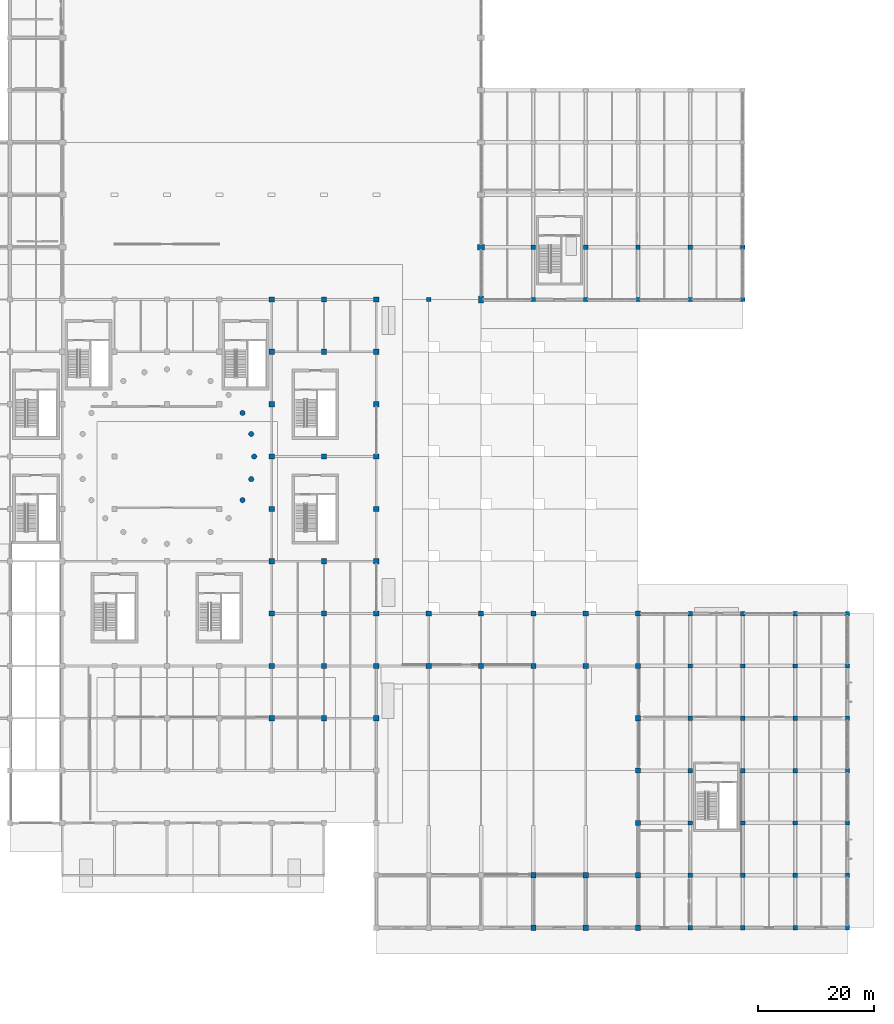
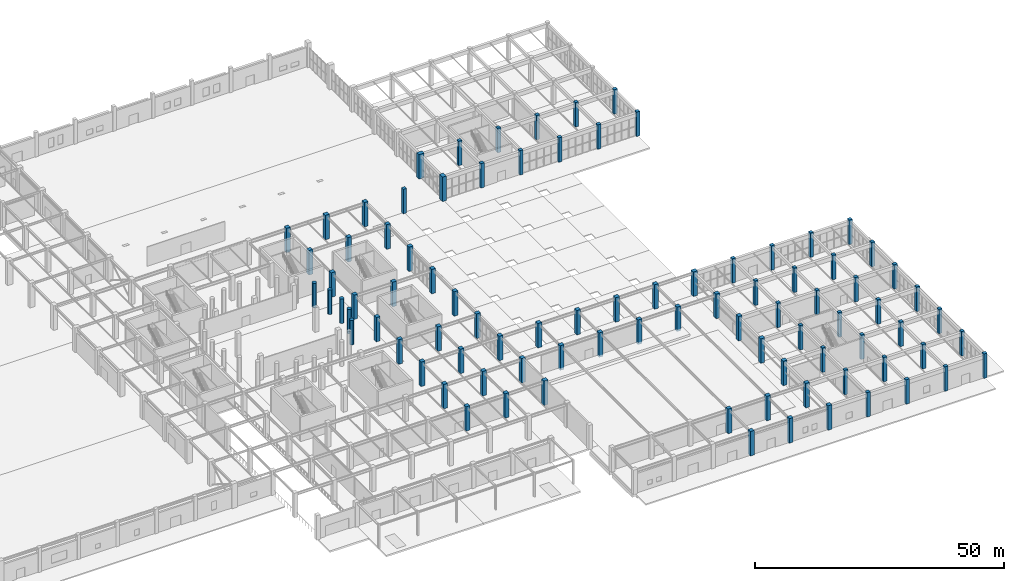
# One storey, part 5 of 91: 90 columns.
"""IFC4 building model written with IfcOpenShell, lengths in metres."""

from ifc_helpers import new_model, si_unit, direction, frame, origin, origin_2d, place, context, subcontext, project, spatial, rectangle, circle, extrude, material, material_profile, profile_set, type_object, element, save


model = new_model("IFC4")

# Units and contexts
model_context = context("Model", 3, precision=1e-05, world=origin(), true_north=direction((0.0, 1.0)))
body_context = subcontext(model_context, "Body", "Model", "MODEL_VIEW")
ifc_project = project(units=[si_unit("LENGTHUNIT", "METRE"), si_unit("AREAUNIT", "SQUARE_METRE"), si_unit("VOLUMEUNIT", "CUBIC_METRE"), si_unit("PLANEANGLEUNIT", "RADIAN"), si_unit("MASSUNIT", "GRAM", prefix="KILO")], contexts=[model_context])

# Site, building, storey
site_placement = place(None, origin())
site = spatial("IfcSite", under=ifc_project, at=site_placement, CompositionType="ELEMENT")
building_placement = place(site_placement, origin())
building = spatial("IfcBuilding", under=site, at=building_placement, Name="Dornveld Trade and Exhibition Forum", CompositionType="ELEMENT")
storey_placement = place(building_placement, origin())
storey = spatial("IfcBuildingStorey", under=building, at=storey_placement, Name="L00", CompositionType="ELEMENT", Elevation=0.0)

# Columns
ifc_material_1 = material(Name="Precast concrete C50/60", Category="concrete")
ifc_material_profile_1 = material_profile(ifc_material_1, circle(Radius=0.449951171875, at=origin_2d()), Name="PC-COL D900")
ifc_profile_set_1 = profile_set([ifc_material_profile_1], Name="Precast concrete C50/60")
column_type_1 = type_object("IfcColumnType", Name="COL-DISC-D900", PredefinedType="COLUMN", material=ifc_profile_set_1)
for number, where, z_axis, x_axis, name in (
    (1, (129.989990234375, 73.5, 0.0), (0.0, 0.0, 1.0), (1.0, 0.0, 0.0), "L00 column (130.0, 73.5)"),
    (2, (129.989990234375, 88.5, 0.0), (0.0, 0.0, 1.0), (1.0, 0.0, 0.0), "L00 column (130.0, 88.5)"),
    (3, (131.489013671875, 77.117919921875, 0.0), (0.0, 0.0, 1.0), (1.0, 0.0, 0.0), "L00 column (131.5, 77.1)"),
    (4, (131.489013671875, 84.882080078125, 0.0), (0.0, 0.0, 1.0), (1.0, 0.0, 0.0), "L00 column (131.5, 84.9)"),
    (5, (132.0, 81.0, 0.0), (0.0, 0.0, 1.0), (1.0, 0.0, 0.0), "L00 column (132.0, 81.0)"),
):
    element("IfcColumn", number, at=place(storey_placement, frame(where, z_axis=z_axis, x_axis=x_axis)), inside=storey, type_object=column_type_1, Name=name, PredefinedType="COLUMN", context=body_context, shape_type="SweptSolid", body=[
        extrude(circle(Radius=0.449951171875, at=origin_2d()), origin(), (0.0, 0.0, 1.0), 6.0),
    ])
ifc_material_2 = material(Name="Precast concrete C50/60", Category="concrete")
ifc_material_profile_2 = material_profile(ifc_material_2, rectangle(XDim=0.75, YDim=0.75, at=origin_2d()), Name="PC-COL 750x750")
ifc_profile_set_2 = profile_set([ifc_material_profile_2], Name="Precast concrete C50/60")
column_type_2 = type_object("IfcColumnType", Name="COL-PC750", PredefinedType="COLUMN", material=ifc_profile_set_2)
for number, where, z_axis, x_axis, name in (
    (6, (180.0, 108.0, 0.0), (0.0, 0.0, 1.0), (1.0, 0.0, 0.0), "L00 column (180.0, 108.0)"),
    (7, (180.0, 117.0, 0.0), (0.0, 0.0, 1.0), (1.0, 0.0, 0.0), "L00 column (180.0, 117.0)"),
    (8, (189.0, 108.0, 0.0), (0.0, 0.0, 1.0), (1.0, 0.0, 0.0), "L00 column (189.0, 108.0)"),
    (9, (189.0, 117.0, 0.0), (0.0, 0.0, 1.0), (1.0, 0.0, 0.0), "L00 column (189.0, 117.0)"),
    (10, (198.0, 108.0, 0.0), (0.0, 0.0, 1.0), (1.0, 0.0, 0.0), "L00 column (198.0, 108.0)"),
    (11, (198.0, 117.0, 0.0), (0.0, 0.0, 1.0), (1.0, 0.0, 0.0), "L00 column (198.0, 117.0)"),
    (12, (207.0, 0.0, 0.0), (0.0, 0.0, 1.0), (1.0, 0.0, 0.0), "L00 column (207.0, 0.0)"),
    (13, (207.0, 9.0, 0.0), (0.0, 0.0, 1.0), (1.0, 0.0, 0.0), "L00 column (207.0, 9.0)"),
    (14, (207.0, 18.0, 0.0), (0.0, 0.0, 1.0), (1.0, 0.0, 0.0), "L00 column (207.0, 18.0)"),
    (15, (207.0, 27.0, 0.0), (0.0, 0.0, 1.0), (1.0, 0.0, 0.0), "L00 column (207.0, 27.0)"),
    (16, (207.0, 36.0, 0.0), (0.0, 0.0, 1.0), (1.0, 0.0, 0.0), "L00 column (207.0, 36.0)"),
    (17, (207.0, 45.0, 0.0), (0.0, 0.0, 1.0), (1.0, 0.0, 0.0), "L00 column (207.0, 45.0)"),
    (18, (207.0, 54.0, 0.0), (0.0, 0.0, 1.0), (1.0, 0.0, 0.0), "L00 column (207.0, 54.0)"),
    (19, (207.0, 108.0, 0.0), (0.0, 0.0, 1.0), (1.0, 0.0, 0.0), "L00 column (207.0, 108.0)"),
    (20, (207.0, 117.0, 0.0), (0.0, 0.0, 1.0), (1.0, 0.0, 0.0), "L00 column (207.0, 117.0)"),
    (21, (216.0, 0.0, 0.0), (0.0, 0.0, 1.0), (1.0, 0.0, 0.0), "L00 column (216.0, 0.0)"),
    (22, (216.0, 9.0, 0.0), (0.0, 0.0, 1.0), (1.0, 0.0, 0.0), "L00 column (216.0, 9.0)"),
    (23, (216.0, 18.0, 0.0), (0.0, 0.0, 1.0), (1.0, 0.0, 0.0), "L00 column (216.0, 18.0)"),
    (24, (216.0, 27.0, 0.0), (0.0, 0.0, 1.0), (1.0, 0.0, 0.0), "L00 column (216.0, 27.0)"),
    (25, (216.0, 36.0, 0.0), (0.0, 0.0, 1.0), (1.0, 0.0, 0.0), "L00 column (216.0, 36.0)"),
    (26, (216.0, 45.0, 0.0), (0.0, 0.0, 1.0), (1.0, 0.0, 0.0), "L00 column (216.0, 45.0)"),
    (27, (216.0, 54.0, 0.0), (0.0, 0.0, 1.0), (1.0, 0.0, 0.0), "L00 column (216.0, 54.0)"),
    (28, (216.0, 108.0, 0.0), (0.0, 0.0, 1.0), (1.0, 0.0, 0.0), "L00 column (216.0, 108.0)"),
    (29, (216.0, 117.0, 0.0), (0.0, 0.0, 1.0), (1.0, 0.0, 0.0), "L00 column (216.0, 117.0)"),
    (30, (225.0, 0.0, 0.0), (0.0, 0.0, 1.0), (1.0, 0.0, 0.0), "L00 column (225.0, 0.0)"),
    (31, (225.0, 9.0, 0.0), (0.0, 0.0, 1.0), (1.0, 0.0, 0.0), "L00 column (225.0, 9.0)"),
    (32, (225.0, 18.0, 0.0), (0.0, 0.0, 1.0), (1.0, 0.0, 0.0), "L00 column (225.0, 18.0)"),
    (33, (225.0, 27.0, 0.0), (0.0, 0.0, 1.0), (1.0, 0.0, 0.0), "L00 column (225.0, 27.0)"),
    (34, (225.0, 36.0, 0.0), (0.0, 0.0, 1.0), (1.0, 0.0, 0.0), "L00 column (225.0, 36.0)"),
    (35, (225.0, 45.0, 0.0), (0.0, 0.0, 1.0), (1.0, 0.0, 0.0), "L00 column (225.0, 45.0)"),
    (36, (225.0, 54.0, 0.0), (0.0, 0.0, 1.0), (1.0, 0.0, 0.0), "L00 column (225.0, 54.0)"),
    (37, (234.0, 0.0, 0.0), (0.0, 0.0, 1.0), (1.0, 0.0, 0.0), "L00 column (234.0, 0.0)"),
    (38, (234.0, 9.0, 0.0), (0.0, 0.0, 1.0), (1.0, 0.0, 0.0), "L00 column (234.0, 9.0)"),
    (39, (234.0, 18.0, 0.0), (0.0, 0.0, 1.0), (1.0, 0.0, 0.0), "L00 column (234.0, 18.0)"),
    (40, (234.0, 27.0, 0.0), (0.0, 0.0, 1.0), (1.0, 0.0, 0.0), "L00 column (234.0, 27.0)"),
    (41, (234.0, 36.0, 0.0), (0.0, 0.0, 1.0), (1.0, 0.0, 0.0), "L00 column (234.0, 36.0)"),
    (42, (234.0, 45.0, 0.0), (0.0, 0.0, 1.0), (1.0, 0.0, 0.0), "L00 column (234.0, 45.0)"),
    (43, (234.0, 54.0, 0.0), (0.0, 0.0, 1.0), (1.0, 0.0, 0.0), "L00 column (234.0, 54.0)"),
):
    element("IfcColumn", number, at=place(storey_placement, frame(where, z_axis=z_axis, x_axis=x_axis)), inside=storey, type_object=column_type_2, Name=name, PredefinedType="COLUMN", context=body_context, shape_type="SweptSolid", body=[
        extrude(rectangle(XDim=0.75, YDim=0.75, at=origin_2d()), origin(), (0.0, 0.0, 1.0), 6.0),
    ])
ifc_material_3 = material(Name="Precast concrete C50/60", Category="concrete")
ifc_material_profile_3 = material_profile(ifc_material_3, rectangle(XDim=0.89990234375, YDim=0.89990234375, at=origin_2d()), Name="PC-COL 900x900")
ifc_profile_set_3 = profile_set([ifc_material_profile_3], Name="Precast concrete C50/60")
column_type_3 = type_object("IfcColumnType", Name="COL-PC900", PredefinedType="COLUMN", material=ifc_profile_set_3)
for number, where, z_axis, x_axis, name in (
    (44, (135.0, 36.0, 0.0), (0.0, 0.0, 1.0), (1.0, 0.0, 0.0), "L00 column (135.0, 36.0)"),
    (45, (135.0, 45.0, 0.0), (0.0, 0.0, 1.0), (1.0, 0.0, 0.0), "L00 column (135.0, 45.0)"),
    (46, (135.0, 54.0, 0.0), (0.0, 0.0, 1.0), (1.0, 0.0, 0.0), "L00 column (135.0, 54.0)"),
    (47, (135.0, 63.0, 0.0), (0.0, 0.0, 1.0), (1.0, 0.0, 0.0), "L00 column (135.0, 63.0)"),
    (48, (135.0, 72.0, 0.0), (0.0, 0.0, 1.0), (1.0, 0.0, 0.0), "L00 column (135.0, 72.0)"),
    (49, (135.0, 81.0, 0.0), (0.0, 0.0, 1.0), (1.0, 0.0, 0.0), "L00 column (135.0, 81.0)"),
    (50, (135.0, 90.0, 0.0), (0.0, 0.0, 1.0), (1.0, 0.0, 0.0), "L00 column (135.0, 90.0)"),
    (51, (135.0, 99.0, 0.0), (0.0, 0.0, 1.0), (1.0, 0.0, 0.0), "L00 column (135.0, 99.0)"),
    (52, (135.0, 108.0, 0.0), (0.0, 0.0, 1.0), (1.0, 0.0, 0.0), "L00 column (135.0, 108.0)"),
    (53, (144.0, 36.0, 0.0), (0.0, 0.0, 1.0), (1.0, 0.0, 0.0), "L00 column (144.0, 36.0)"),
    (54, (144.0, 45.0, 0.0), (0.0, 0.0, 1.0), (1.0, 0.0, 0.0), "L00 column (144.0, 45.0)"),
    (55, (144.0, 54.0, 0.0), (0.0, 0.0, 1.0), (1.0, 0.0, 0.0), "L00 column (144.0, 54.0)"),
    (56, (144.0, 63.0, 0.0), (0.0, 0.0, 1.0), (1.0, 0.0, 0.0), "L00 column (144.0, 63.0)"),
    (57, (144.0, 81.0, 0.0), (0.0, 0.0, 1.0), (1.0, 0.0, 0.0), "L00 column (144.0, 81.0)"),
    (58, (144.0, 99.0, 0.0), (0.0, 0.0, 1.0), (1.0, 0.0, 0.0), "L00 column (144.0, 99.0)"),
    (59, (144.0, 108.0, 0.0), (0.0, 0.0, 1.0), (1.0, 0.0, 0.0), "L00 column (144.0, 108.0)"),
    (60, (153.0, 36.0, 0.0), (0.0, 0.0, 1.0), (1.0, 0.0, 0.0), "L00 column (153.0, 36.0)"),
    (61, (153.0, 45.0, 0.0), (0.0, 0.0, 1.0), (1.0, 0.0, 0.0), "L00 column (153.0, 45.0)"),
    (62, (153.0, 54.0, 0.0), (0.0, 0.0, 1.0), (1.0, 0.0, 0.0), "L00 column (153.0, 54.0)"),
    (63, (153.0, 63.0, 0.0), (0.0, 0.0, 1.0), (1.0, 0.0, 0.0), "L00 column (153.0, 63.0)"),
    (64, (153.0, 72.0, 0.0), (0.0, 0.0, 1.0), (1.0, 0.0, 0.0), "L00 column (153.0, 72.0)"),
    (65, (153.0, 81.0, 0.0), (0.0, 0.0, 1.0), (1.0, 0.0, 0.0), "L00 column (153.0, 81.0)"),
    (66, (153.0, 90.0, 0.0), (0.0, 0.0, 1.0), (1.0, 0.0, 0.0), "L00 column (153.0, 90.0)"),
    (67, (153.0, 99.0, 0.0), (0.0, 0.0, 1.0), (1.0, 0.0, 0.0), "L00 column (153.0, 99.0)"),
    (68, (153.0, 108.0, 0.0), (0.0, 0.0, 1.0), (1.0, 0.0, 0.0), "L00 column (153.0, 108.0)"),
    (69, (162.0, 45.0, 0.0), (0.0, 0.0, 1.0), (1.0, 0.0, 0.0), "L00 column (162.0, 45.0)"),
    (70, (162.0, 54.0, 0.0), (0.0, 0.0, 1.0), (1.0, 0.0, 0.0), "L00 column (162.0, 54.0)"),
    (71, (171.0, 45.0, 0.0), (0.0, 0.0, 1.0), (1.0, 0.0, 0.0), "L00 column (171.0, 45.0)"),
    (72, (171.0, 54.0, 0.0), (0.0, 0.0, 1.0), (1.0, 0.0, 0.0), "L00 column (171.0, 54.0)"),
    (73, (180.0, 0.0, 0.0), (0.0, 0.0, 1.0), (1.0, 0.0, 0.0), "L00 column (180.0, 0.0)"),
    (74, (180.0, 9.0, 0.0), (0.0, 0.0, 1.0), (1.0, 0.0, 0.0), "L00 column (180.0, 9.0)"),
    (75, (180.0, 45.0, 0.0), (0.0, 0.0, 1.0), (1.0, 0.0, 0.0), "L00 column (180.0, 45.0)"),
    (76, (180.0, 54.0, 0.0), (0.0, 0.0, 1.0), (1.0, 0.0, 0.0), "L00 column (180.0, 54.0)"),
    (77, (189.0, 0.0, 0.0), (0.0, 0.0, 1.0), (1.0, 0.0, 0.0), "L00 column (189.0, 0.0)"),
    (78, (189.0, 9.0, 0.0), (0.0, 0.0, 1.0), (1.0, 0.0, 0.0), "L00 column (189.0, 9.0)"),
    (79, (189.0, 45.0, 0.0), (0.0, 0.0, 1.0), (1.0, 0.0, 0.0), "L00 column (189.0, 45.0)"),
    (80, (189.0, 54.0, 0.0), (0.0, 0.0, 1.0), (1.0, 0.0, 0.0), "L00 column (189.0, 54.0)"),
    (81, (198.0, 0.0, 0.0), (0.0, 0.0, 1.0), (1.0, 0.0, 0.0), "L00 column (198.0, 0.0)"),
    (82, (198.0, 9.0, 0.0), (0.0, 0.0, 1.0), (1.0, 0.0, 0.0), "L00 column (198.0, 9.0)"),
    (83, (198.0, 18.0, 0.0), (0.0, 0.0, 1.0), (1.0, 0.0, 0.0), "L00 column (198.0, 18.0)"),
    (84, (198.0, 27.0, 0.0), (0.0, 0.0, 1.0), (1.0, 0.0, 0.0), "L00 column (198.0, 27.0)"),
    (85, (198.0, 36.0, 0.0), (0.0, 0.0, 1.0), (1.0, 0.0, 0.0), "L00 column (198.0, 36.0)"),
    (86, (198.0, 45.0, 0.0), (0.0, 0.0, 1.0), (1.0, 0.0, 0.0), "L00 column (198.0, 45.0)"),
    (87, (198.0, 54.0, 0.0), (0.0, 0.0, 1.0), (1.0, 0.0, 0.0), "L00 column (198.0, 54.0)"),
):
    element("IfcColumn", number, at=place(storey_placement, frame(where, z_axis=z_axis, x_axis=x_axis)), inside=storey, type_object=column_type_3, Name=name, PredefinedType="COLUMN", context=body_context, shape_type="SweptSolid", body=[
        extrude(rectangle(XDim=0.89990234375, YDim=0.89990234375, at=origin_2d()), origin(), (0.0, 0.0, 1.0), 6.0),
    ])
ifc_material_4 = material(Name="Precast concrete C50/60", Category="concrete")
ifc_material_profile_4 = material_profile(ifc_material_4, rectangle(XDim=1.199951171875, YDim=0.89990234375, at=origin_2d()), Name="PC-PIER 1200x900")
ifc_profile_set_4 = profile_set([ifc_material_profile_4], Name="Precast concrete C50/60")
column_type_4 = type_object("IfcColumnType", Name="COL-PIER1200", PredefinedType="COLUMN", material=ifc_profile_set_4)
for number, where, z_axis, x_axis, name in (
    (88, (171.0, 108.0, 0.0), (0.0, 0.0, 1.0), (0.0, 1.0, 0.0), "L00 column (171.0, 108.0)"),
    (89, (171.0, 117.0, 0.0), (0.0, 0.0, 1.0), (1.0, 0.0, 0.0), "L00 column (171.0, 117.0)"),
):
    element("IfcColumn", number, at=place(storey_placement, frame(where, z_axis=z_axis, x_axis=x_axis)), inside=storey, type_object=column_type_4, Name=name, PredefinedType="COLUMN", context=body_context, shape_type="SweptSolid", body=[
        extrude(rectangle(XDim=1.199951171875, YDim=0.89990234375, at=origin_2d()), origin(), (0.0, 0.0, 1.0), 6.0),
    ])
ifc_material_5 = material(Name="Precast concrete C50/60", Category="concrete")
ifc_material_profile_5 = material_profile(ifc_material_5, rectangle(XDim=0.75, YDim=0.75, at=origin_2d()), Name="PC-COL 750x750")
ifc_profile_set_5 = profile_set([ifc_material_profile_5], Name="Precast concrete C50/60")
column_type_5 = type_object("IfcColumnType", Name="COL-PILASTER750", PredefinedType="PILASTER", material=ifc_profile_set_5)
column_placement = place(storey_placement, frame((162.0, 108.0, 0.0), z_axis=(0.0, 0.0, 1.0), x_axis=(1.0, 0.0, 0.0)))
element("IfcColumn", 90, at=column_placement, inside=storey, type_object=column_type_5, Name="L00 column (162.0, 108.0)", PredefinedType="PILASTER", context=body_context, shape_type="SweptSolid", body=[
    extrude(rectangle(XDim=0.75, YDim=0.75, at=origin_2d()), origin(), (0.0, 0.0, 1.0), 6.0),
])

save(model, "model.ifc")
